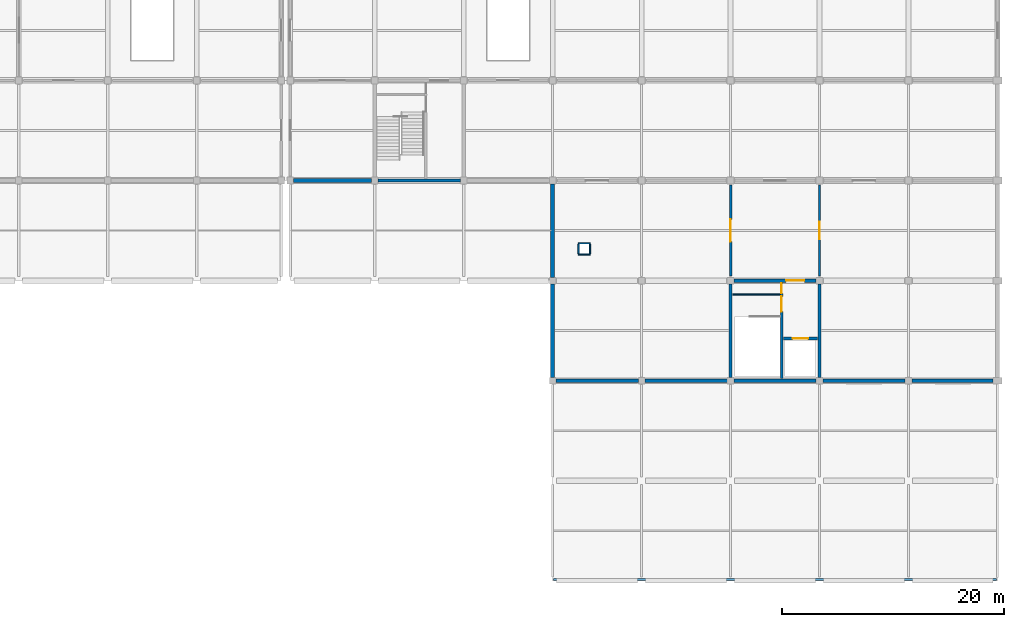
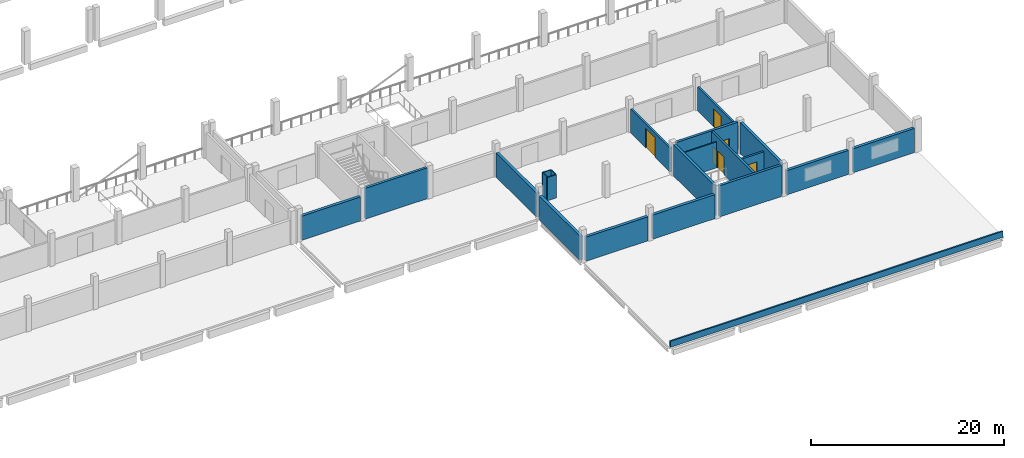
# One storey, part 47 of 57: 22 walls, 6 doors, 6 openings.
"""IFC4 building model written with IfcOpenShell, lengths in metres."""

import ifcopenshell
import ifcopenshell.guid

model = None  # the IFC model being written
_history = None  # IfcOwnerHistory: only IFC2X3 demands one
_inside = {}  # id of a spatial element -> (the spatial element, [elements in it])
_under = {}  # id of a project, library or spatial element -> (it, [spatial elements below it])
_declared = {}  # id of a project -> (the project, [libraries it declares])
_typed = {}  # id of a type object -> (the type object, [elements of that type])
_made_of = {}  # id of a material, layer set ... -> (it, [elements and type objects made of it])


def new_model(schema):
    """Start an empty IFC model of exactly this schema.

    Asked for "IFC4X3", IfcOpenShell would pick the latest addendum, in which some entities
    have other attributes; the version numbers below select the first issue.
    IFC2X3 requires an IfcOwnerHistory on every rooted entity: one is made here for all.
    """
    global model, _history
    if schema == "IFC4X3":
        model = ifcopenshell.file(schema_version=(4, 3, 0, 0))
    else:
        model = ifcopenshell.file(schema=schema)
    _inside.clear()
    _under.clear()
    _declared.clear()
    _typed.clear()
    _made_of.clear()
    _history = None
    if model.schema == "IFC2X3":
        org = make("IfcOrganization", Name="unknown")
        user = make(
            "IfcPersonAndOrganization",
            ThePerson=make("IfcPerson", FamilyName="unknown"),
            TheOrganization=org,
        )
        app = make(
            "IfcApplication",
            ApplicationDeveloper=org,
            Version="unknown",
            ApplicationFullName="unknown",
            ApplicationIdentifier="unknown",
        )
        _history = make(
            "IfcOwnerHistory",
            OwningUser=user,
            OwningApplication=app,
            ChangeAction="ADDED",
            CreationDate=0,
        )
    return model


def make(cls, **values):
    """One entity of the class cls with the attributes given. An attribute that is None is left unset."""
    return model.create_entity(
        cls, **{name: value for name, value in values.items() if value is not None}
    )


def rooted(cls, **values):
    """An entity with a GlobalId (a new one), such as an element, a storey or a relation."""
    return make(cls, GlobalId=ifcopenshell.guid.new(), OwnerHistory=_history, **values)


def si_unit(unit_type, name, prefix=None):
    """IfcSIUnit, for example si_unit("LENGTHUNIT", "METRE", prefix="MILLI")."""
    return make("IfcSIUnit", UnitType=unit_type, Prefix=prefix, Name=name)


def assignment(units):
    """IfcUnitAssignment: the units of a project."""
    return None if units is None else make("IfcUnitAssignment", Units=units)


def point(xyz):
    """IfcCartesianPoint."""
    return None if xyz is None else make("IfcCartesianPoint", Coordinates=xyz)


def direction(xyz):
    """IfcDirection."""
    return None if xyz is None else make("IfcDirection", DirectionRatios=xyz)


def frame(location, z_axis=None, x_axis=None):
    """IfcAxis2Placement3D, a coordinate frame: its origin and axes. An axis left out is left unset."""
    return make(
        "IfcAxis2Placement3D",
        Location=point(location),
        Axis=direction(z_axis),
        RefDirection=direction(x_axis),
    )


def frame_2d(location, x_axis=None):
    """IfcAxis2Placement2D, a coordinate frame in the plane: its origin and x axis."""
    return make(
        "IfcAxis2Placement2D", Location=point(location), RefDirection=direction(x_axis)
    )


def origin():
    """The frame at (0, 0, 0) with its axes left unset."""
    return frame((0.0, 0.0, 0.0))


def place(relative_to, where):
    """IfcLocalPlacement: puts the frame where relative to a parent placement (None: the world)."""
    return make(
        "IfcLocalPlacement", PlacementRelTo=relative_to, RelativePlacement=where
    )


def context(
    kind, dimensions, precision=None, world=None, true_north=None, identifier=None
):
    """IfcGeometricRepresentationContext, for example the 3D "Model" context."""
    return make(
        "IfcGeometricRepresentationContext",
        ContextIdentifier=identifier,
        ContextType=kind,
        CoordinateSpaceDimension=dimensions,
        Precision=precision,
        WorldCoordinateSystem=world,
        TrueNorth=true_north,
    )


def subcontext(parent, identifier, kind, view, scale=None):
    """IfcGeometricRepresentationSubContext, for example "Body" below "Model"."""
    return make(
        "IfcGeometricRepresentationSubContext",
        ContextIdentifier=identifier,
        ContextType=kind,
        ParentContext=parent,
        TargetScale=scale,
        TargetView=view,
    )


def project(units=None, contexts=None):
    """IfcProject with its units and contexts."""
    return rooted(
        "IfcProject",
        Name="project",
        RepresentationContexts=contexts,
        UnitsInContext=assignment(units),
    )


def spatial(cls, under=None, at=None, **own):
    """A site, building, storey or space (cls), placed at a placement, below another one or the project."""
    s = rooted(cls, ObjectPlacement=at, **own)
    if under is not None:
        _under.setdefault(under.id(), (under, []))[1].append(s)
    return s


def profile(cls, at=None, kind="AREA", **sizes):
    """A parametric profile (cls). Its sizes go by their IFC names, for example OverallWidth=200.0."""
    return make(cls, ProfileType=kind, Position=at, **sizes)


def rectangle(**sizes):
    """IfcRectangleProfileDef."""
    return profile("IfcRectangleProfileDef", **sizes)


def extrude(swept, where, along, depth):
    """IfcExtrudedAreaSolid: the profile swept, set in the frame where, extruded along a direction by depth."""
    return make(
        "IfcExtrudedAreaSolid",
        SweptArea=swept,
        Position=where,
        ExtrudedDirection=direction(along),
        Depth=depth,
    )


def shape(context_of_items, identifier, shape_type, items):
    """IfcShapeRepresentation: the items that make up one representation, for example the "Body"."""
    return make(
        "IfcShapeRepresentation",
        ContextOfItems=context_of_items,
        RepresentationIdentifier=identifier,
        RepresentationType=shape_type,
        Items=items,
    )


def material(Name=None, Category=None):
    """IfcMaterial."""
    return make("IfcMaterial", Name=Name, Category=Category)


def layer(
    of_material, thickness, ventilated=None, Name=None, Category=None, Priority=None
):
    """IfcMaterialLayer: one layer of a wall or slab, of a material (None: an air gap)."""
    return make(
        "IfcMaterialLayer",
        Material=of_material,
        LayerThickness=thickness,
        IsVentilated=ventilated,
        Name=Name,
        Category=Category,
        Priority=Priority,
    )


def layer_set(layers, Name=None):
    """IfcMaterialLayerSet."""
    return make("IfcMaterialLayerSet", MaterialLayers=layers, LayerSetName=Name)


def made_of(thing, what):
    """Note that an element or type object is made of a material, layer set ...; save() writes the relation."""
    if what is not None:
        _made_of.setdefault(what.id(), (what, []))[1].append(thing)
    return thing


def type_object(cls, material=None, **own):
    """A type object (cls), such as IfcWallType, which elements share."""
    return made_of(rooted(cls, **own), material)


def element(
    cls,
    number,
    at=None,
    inside=None,
    cuts=None,
    type_object=None,
    material=None,
    context=None,
    identifier="Body",
    shape_type=None,
    held_by="IfcProductDefinitionShape",
    body=None,
    shapes=None,
    **own,
):
    """One element of the class cls, such as IfcWall. Its Tag is "e" and its number.

    at: its placement. inside: the storey or other place that contains it. cuts: it is an
    opening in that element (IfcRelVoidsElement). A single representation is given by context,
    identifier, shape_type and body (its items); several are given by shapes. held_by: the class
    of the entity that holds the representations. save() writes the other relations.
    """
    e = rooted(cls, Tag="e%d" % number, ObjectPlacement=at, **own)
    if body is not None:
        shapes = [shape(context, identifier, shape_type, body)]
    if shapes is not None:
        e.Representation = make(held_by, Representations=shapes)
    if inside is not None:
        _inside.setdefault(inside.id(), (inside, []))[1].append(e)
    if cuts is not None:
        rooted(
            "IfcRelVoidsElement", RelatingBuildingElement=cuts, RelatedOpeningElement=e
        )
    if type_object is not None:
        _typed.setdefault(type_object.id(), (type_object, []))[1].append(e)
    return made_of(e, material)


def fill(opening, filler):
    """IfcRelFillsElement: the door or window that sits in an opening."""
    return rooted(
        "IfcRelFillsElement",
        RelatingOpeningElement=opening,
        RelatedBuildingElement=filler,
    )


def aggregate(whole, parts):
    """IfcRelAggregates: a whole, such as a stair, and the parts it consists of."""
    return rooted("IfcRelAggregates", RelatingObject=whole, RelatedObjects=parts)


def save(model, path):
    """Write the relations noted so far, then the file.

    IfcRelAggregates (storeys below a building ...), IfcRelContainedInSpatialStructure (elements
    in a storey), IfcRelDefinesByType, IfcRelAssociatesMaterial and IfcRelDeclares: one each for
    every whole, place, type object, material and project.
    """
    for whole, parts in _under.values():
        aggregate(whole, parts)
    for where, things in _inside.values():
        rooted(
            "IfcRelContainedInSpatialStructure",
            RelatedElements=things,
            RelatingStructure=where,
        )
    for kind, things in _typed.values():
        rooted("IfcRelDefinesByType", RelatedObjects=things, RelatingType=kind)
    for what, things in _made_of.values():
        rooted("IfcRelAssociatesMaterial", RelatedObjects=things, RelatingMaterial=what)
    for by, libraries in _declared.values():
        rooted("IfcRelDeclares", RelatingContext=by, RelatedDefinitions=libraries)
    model.write(path)


model = new_model("IFC4")

# Units and contexts
model_context = context("Model", 3, precision=1e-05, world=origin(), true_north=direction((0.0, 1.0)))
body_context = subcontext(model_context, "Body", "Model", "MODEL_VIEW")
ifc_project = project(units=[si_unit("LENGTHUNIT", "METRE"), si_unit("AREAUNIT", "SQUARE_METRE"), si_unit("VOLUMEUNIT", "CUBIC_METRE"), si_unit("PLANEANGLEUNIT", "RADIAN"), si_unit("MASSUNIT", "GRAM", prefix="KILO"), si_unit("THERMODYNAMICTEMPERATUREUNIT", "KELVIN"), si_unit("POWERUNIT", "WATT")], contexts=[model_context])

# Site, building, storey
site_placement = place(None, origin())
site = spatial("IfcSite", under=ifc_project, at=site_placement, CompositionType="ELEMENT")
building_placement = place(site_placement, origin())
building = spatial("IfcBuilding", under=site, at=building_placement, Name="Kronsvod Quay Wholesale Market", CompositionType="ELEMENT")
storey_placement = place(building_placement, frame((0.0, 0.0, 4.800048828125)))
storey = spatial("IfcBuildingStorey", under=building, at=storey_placement, Name="L01", CompositionType="ELEMENT", Elevation=4.800048828125)

# Wall, opening, door
ifc_material_1 = material(Name="Polyisocyanurate deep-freeze panel")
ifc_layer_1 = layer(ifc_material_1, 0.22998046875)
ifc_layer_set_1 = layer_set([ifc_layer_1], Name="Polyisocyanurate deep-freeze panel")
wall_type_1 = type_object("IfcWallType", Name="Wall_ColdFreezer230", PredefinedType="PARTITIONING", material=ifc_layer_set_1)
wall_1_placement = place(storey_placement, frame((168.0, 27.419921875, 0.0), z_axis=(0.0, 0.0, 1.0), x_axis=(0.0, 1.0, 0.0)))
wall_1 = element("IfcWall", 1, at=wall_1_placement, inside=storey, type_object=wall_type_1, Name="PW-L01-0056", PredefinedType="PARTITIONING", context=body_context, shape_type="SweptSolid", body=[
    extrude(rectangle(XDim=8.16015625, YDim=0.22998046875, at=frame_2d((4.080078125, 0.0))), origin(), (0.0, 0.0, 1.0), 3.050048828125),
])
opening_1_placement = place(wall_1_placement, frame((3.080078125, 0.0, 0.0)))
opening_1 = element("IfcOpeningElement", 2, at=opening_1_placement, cuts=wall_1, Name="Opening D-0241", PredefinedType="OPENING", context=body_context, shape_type="SweptSolid", body=[
    extrude(rectangle(XDim=2.0, YDim=2.5, at=frame_2d((1.0, 1.25))), frame((0.0, 0.125, 0.0), z_axis=(0.0, -1.0, 0.0), x_axis=(1.0, 0.0, 0.0)), (0.0, 0.0, 1.0), 0.25),
])
ifc_material_2 = material(Name="Heated-frame deep-freeze sliding door", Category="steel")
door_type_1 = type_object("IfcDoorType", Name="Door_FreezerSlide200x250", OperationType="SLIDING_TO_LEFT", PredefinedType="DOOR", material=ifc_material_2)
door_1_placement = place(opening_1_placement, origin())
door_1 = element("IfcDoor", 3, at=door_1_placement, inside=storey, type_object=door_type_1, Name="Interior Door D-0241", OperationType="SLIDING_TO_LEFT", OverallHeight=2.5, OverallWidth=2.0, PredefinedType="DOOR", context=body_context, shape_type="SweptSolid", body=[
    extrude(rectangle(XDim=2.0, YDim=2.5, at=frame_2d((1.0, 1.25))), frame((0.0, 0.02490234375, 0.0), z_axis=(0.0, -1.0, 0.0), x_axis=(1.0, 0.0, 0.0)), (0.0, 0.0, 1.0), 0.050048828125),
])
fill(opening_1, door_1)

# Walls
ifc_material_3 = material(Name="Concrete C35/45", Category="concrete")
ifc_layer_2 = layer(ifc_material_3, 0.300048828125)
ifc_layer_set_2 = layer_set([ifc_layer_2], Name="Concrete C35/45")
wall_type_2 = type_object("IfcWallType", Name="Wall_CoreShear300", PredefinedType="SHEAR", material=ifc_layer_set_2)
wall_2_placement = place(storey_placement, frame((136.294921875, 36.0, 0.0), z_axis=(0.0, 0.0, 1.0), x_axis=(1.0, 0.0, 0.0)))
element("IfcWall", 4, at=wall_2_placement, inside=storey, type_object=wall_type_2, Name="CW-C05-L01-S", PredefinedType="SHEAR", context=body_context, shape_type="SweptSolid", body=[
    extrude(rectangle(XDim=7.41015625, YDim=0.300048828125, at=frame_2d((3.705078125, 0.0))), origin(), (0.0, 0.0, 1.0), 3.905029296875),
])
wall_3_placement = place(storey_placement, frame((168.294921875, 18.0, 0.0), z_axis=(0.0, 0.0, 1.0), x_axis=(1.0, 0.0, 0.0)))
element("IfcWall", 5, at=wall_3_placement, inside=storey, type_object=wall_type_2, Name="CW-C06-L01-S", PredefinedType="SHEAR", context=body_context, shape_type="SweptSolid", body=[
    extrude(rectangle(XDim=7.41015625, YDim=0.300048828125, at=frame_2d((3.705078125, 0.0))), origin(), (0.0, 0.0, 1.0), 3.945068359375),
])

# Wall, opening, door
wall_4_placement = place(storey_placement, frame((168.294921875, 27.0, 0.0), z_axis=(0.0, 0.0, 1.0), x_axis=(1.0, 0.0, 0.0)))
wall_4 = element("IfcWall", 6, at=wall_4_placement, inside=storey, type_object=wall_type_2, Name="CW-C06-L01-N", PredefinedType="SHEAR", context=body_context, shape_type="SweptSolid", body=[
    extrude(rectangle(XDim=7.41015625, YDim=0.300048828125, at=frame_2d((3.705078125, 0.0))), origin(), (0.0, 0.0, 1.0), 3.945068359375),
])
opening_2_placement = place(wall_4_placement, frame((4.699951171875, 0.0, 0.0)))
opening_2 = element("IfcOpeningElement", 7, at=opening_2_placement, cuts=wall_4, Name="Opening D-0060", PredefinedType="OPENING", context=body_context, shape_type="SweptSolid", body=[
    extrude(rectangle(XDim=1.64990234375, YDim=2.219970703125, at=frame_2d((0.824951171875, 1.10986328125))), frame((0.0, 0.16015625, 0.0), z_axis=(0.0, -1.0, 0.0), x_axis=(1.0, 0.0, 0.0)), (0.0, 0.0, 1.0), 0.320068359375),
])
ifc_material_4 = material(Name="Painted galvanized fire steel", Category="steel")
door_type_2 = type_object("IfcDoorType", Name="Door_FireLobby165x222", OperationType="DOUBLE_DOOR_SINGLE_SWING", PredefinedType="DOOR", material=ifc_material_4)
door_2_placement = place(opening_2_placement, origin())
door_2 = element("IfcDoor", 8, at=door_2_placement, inside=storey, type_object=door_type_2, Name="Core Lobby Door D-0060", OperationType="DOUBLE_DOOR_SINGLE_SWING", OverallHeight=2.219970703125, OverallWidth=1.64990234375, PredefinedType="DOOR", context=body_context, shape_type="SweptSolid", body=[
    extrude(rectangle(XDim=1.64990234375, YDim=2.219970703125, at=frame_2d((0.824951171875, 1.10986328125))), frame((0.0, 0.02490234375, 0.0), z_axis=(0.0, -1.0, 0.0), x_axis=(1.0, 0.0, 0.0)), (0.0, 0.0, 1.0), 0.050048828125),
])
fill(opening_2, door_2)

# Walls
for number, where, z_axis, x_axis, name in (
    (9, (168.0, 18.294921875, 0.0), (0.0, 0.0, 1.0), (0.0, 1.0, 0.0), "CW-C06-L01-W"),
    (10, (176.0, 18.294921875, 0.0), (0.0, 0.0, 1.0), (0.0, 1.0, 0.0), "CW-C06-L01-E"),
):
    element("IfcWall", number, at=place(storey_placement, frame(where, z_axis=z_axis, x_axis=x_axis)), inside=storey, type_object=wall_type_2, Name=name, PredefinedType="SHEAR", context=body_context, shape_type="SweptSolid", body=[
        extrude(rectangle(XDim=8.41015625, YDim=0.300048828125, at=frame_2d((4.205078125, 0.0))), origin(), (0.0, 0.0, 1.0), 3.945068359375),
    ])
ifc_material_5 = material(Name="Precast concrete C40/50", Category="concrete")
ifc_layer_3 = layer(ifc_material_5, 0.340087890625)
ifc_layer_set_3 = layer_set([ifc_layer_3], Name="Precast concrete C40/50")
wall_type_3 = type_object("IfcWallType", Name="Wall_ExtColdSandwich340", PredefinedType="SOLIDWALL", material=ifc_layer_set_3)
for number, where, z_axis, x_axis, name in (
    (11, (152.294921875, 18.0, 0.0), (0.0, 0.0, 1.0), (1.0, 0.0, 0.0), "EW-X-L01-0139"),
    (12, (160.294921875, 18.0, 0.0), (0.0, 0.0, 1.0), (1.0, 0.0, 0.0), "EW-X-L01-0140"),
    (13, (176.294921875, 18.0, 0.0), (0.0, 0.0, 1.0), (1.0, 0.0, 0.0), "EW-X-L01-0141"),
):
    element("IfcWall", number, at=place(storey_placement, frame(where, z_axis=z_axis, x_axis=x_axis)), inside=storey, type_object=wall_type_3, Name=name, PredefinedType="SOLIDWALL", context=body_context, shape_type="SweptSolid", body=[
        extrude(rectangle(XDim=7.41015625, YDim=0.340087890625, at=frame_2d((3.705078125, 0.0))), origin(), (0.0, 0.0, 1.0), 3.050048828125),
    ])
wall_5_placement = place(storey_placement, frame((184.294921875, 18.0, 0.0), z_axis=(0.0, 0.0, 1.0), x_axis=(1.0, 0.0, 0.0)))
element("IfcWall", 14, at=wall_5_placement, inside=storey, type_object=wall_type_3, Name="EW-X-L01-0142", PredefinedType="SOLIDWALL", context=body_context, shape_type="SweptSolid", body=[
    extrude(rectangle(XDim=7.31005859375, YDim=0.340087890625, at=frame_2d((3.655029296875, 0.0))), origin(), (0.0, 0.0, 1.0), 3.050048828125),
])
wall_6_placement = place(storey_placement, frame((128.695068359375, 36.0, 0.0), z_axis=(0.0, 0.0, 1.0), x_axis=(1.0, 0.0, 0.0)))
element("IfcWall", 15, at=wall_6_placement, inside=storey, type_object=wall_type_3, Name="EW-X-L01-0143", PredefinedType="SOLIDWALL", context=body_context, shape_type="SweptSolid", body=[
    extrude(rectangle(XDim=7.010009765625, YDim=0.340087890625, at=frame_2d((3.5048828125, 0.0))), origin(), (0.0, 0.0, 1.0), 3.050048828125),
])
for number, where, z_axis, x_axis, name in (
    (16, (152.0, 26.705078125, 0.0), (0.0, 0.0, 1.0), (0.0, -1.0, 0.0), "EW-Y-L01-0151"),
    (17, (152.0, 35.705078125, 0.0), (0.0, 0.0, 1.0), (0.0, -1.0, 0.0), "EW-Y-L01-0152"),
):
    element("IfcWall", number, at=place(storey_placement, frame(where, z_axis=z_axis, x_axis=x_axis)), inside=storey, type_object=wall_type_3, Name=name, PredefinedType="SOLIDWALL", context=body_context, shape_type="SweptSolid", body=[
        extrude(rectangle(XDim=8.41015625, YDim=0.340087890625, at=frame_2d((4.205078125, 0.0))), origin(), (0.0, 0.0, 1.0), 3.050048828125),
    ])

# Wall, opening, door
ifc_material_6 = material(Name="Concrete C35/45", Category="concrete")
ifc_layer_4 = layer(ifc_material_6, 0.219970703125)
ifc_layer_set_4 = layer_set([ifc_layer_4], Name="Concrete C35/45")
wall_type_4 = type_object("IfcWallType", Name="Wall_FireComp220", PredefinedType="SOLIDWALL", material=ifc_layer_set_4)
wall_7_placement = place(storey_placement, frame((176.0, 27.419921875, 0.0), z_axis=(0.0, 0.0, 1.0), x_axis=(0.0, 1.0, 0.0)))
wall_7 = element("IfcWall", 18, at=wall_7_placement, inside=storey, type_object=wall_type_4, Name="PW-L01-0057", PredefinedType="SOLIDWALL", context=body_context, shape_type="SweptSolid", body=[
    extrude(rectangle(XDim=8.16015625, YDim=0.219970703125, at=frame_2d((4.080078125, 0.0))), origin(), (0.0, 0.0, 1.0), 3.050048828125),
])
opening_3_placement = place(wall_7_placement, frame((3.280029296875, 0.0, 0.0)))
opening_3 = element("IfcOpeningElement", 19, at=opening_3_placement, cuts=wall_7, Name="Opening D-0242", PredefinedType="OPENING", context=body_context, shape_type="SweptSolid", body=[
    extrude(rectangle(XDim=1.60009765625, YDim=2.280029296875, at=frame_2d((0.800048828125, 1.14013671875))), frame((0.0, 0.1201171875, 0.0), z_axis=(0.0, -1.0, 0.0), x_axis=(1.0, 0.0, 0.0)), (0.0, 0.0, 1.0), 0.239990234375),
])
ifc_material_7 = material(Name="Painted steel plant door", Category="steel")
door_type_3 = type_object("IfcDoorType", Name="Door_Plant160x228", OperationType="DOUBLE_DOOR_SINGLE_SWING", PredefinedType="DOOR", material=ifc_material_7)
door_3_placement = place(opening_3_placement, origin())
door_3 = element("IfcDoor", 20, at=door_3_placement, inside=storey, type_object=door_type_3, Name="Interior Door D-0242", OperationType="DOUBLE_DOOR_SINGLE_SWING", OverallHeight=2.280029296875, OverallWidth=1.60009765625, PredefinedType="DOOR", context=body_context, shape_type="SweptSolid", body=[
    extrude(rectangle(XDim=1.60009765625, YDim=2.280029296875, at=frame_2d((0.800048828125, 1.14013671875))), frame((0.0, 0.02490234375, 0.0), z_axis=(0.0, -1.0, 0.0), x_axis=(1.0, 0.0, 0.0)), (0.0, 0.0, 1.0), 0.050048828125),
])
fill(opening_3, door_3)

# Walls
ifc_material_8 = material(Name="Precast concrete C40/50", Category="concrete")
ifc_layer_5 = layer(ifc_material_8, 0.179931640625)
ifc_layer_set_5 = layer_set([ifc_layer_5], Name="Precast concrete C40/50")
wall_type_5 = type_object("IfcWallType", Name="Wall_Parapet180", PredefinedType="PARAPET", material=ifc_layer_set_5)
wall_8_placement = place(storey_placement, frame((152.10009765625, 0.10009765625, 0.0), z_axis=(0.0, 0.0, 1.0), x_axis=(1.0, 0.0, 0.0)))
element("IfcWall", 21, at=wall_8_placement, inside=storey, type_object=wall_type_5, Name="PRP-DK-SE", PredefinedType="PARAPET", context=body_context, shape_type="SweptSolid", body=[
    extrude(rectangle(XDim=39.7998046875, YDim=0.179931640625, at=frame_2d((19.89990234375, 0.0))), origin(), (0.0, 0.0, 1.0), 0.75),
])
ifc_material_9 = material(Name="Fire-rated shaft riser block wall", Category="masonry")
ifc_layer_6 = layer(ifc_material_9, 0.1201171875)
ifc_layer_set_6 = layer_set([ifc_layer_6], Name="Fire-rated shaft riser block wall")
wall_type_6 = type_object("IfcWallType", Name="Wall_PartRiser120", PredefinedType="PARTITIONING", material=ifc_layer_set_6)
for number, where, z_axis, x_axis, name in (
    (22, (154.320068359375, 29.340087890625, 0.0), (0.0, 0.0, 1.0), (1.0, 0.0, 0.0), "RSRW-SLB-L01-077-S"),
    (23, (154.320068359375, 30.360107421875, 0.0), (0.0, 0.0, 1.0), (1.0, 0.0, 0.0), "RSRW-SLB-L01-077-N"),
):
    element("IfcWall", number, at=place(storey_placement, frame(where, z_axis=z_axis, x_axis=x_axis)), inside=storey, type_object=wall_type_6, Name=name, PredefinedType="PARTITIONING", context=body_context, shape_type="SweptSolid", body=[
        extrude(rectangle(XDim=1.059814453125, YDim=0.1201171875, at=frame_2d((0.52978515625, 0.0))), origin(), (0.0, 0.0, 1.0), 2.949951171875),
    ])
for number, where, z_axis, x_axis, name in (
    (24, (154.340087890625, 29.419921875, 0.0), (0.0, 0.0, 1.0), (0.0, 1.0, 0.0), "RSRW-SLB-L01-077-W"),
    (25, (155.360107421875, 29.419921875, 0.0), (0.0, 0.0, 1.0), (0.0, 1.0, 0.0), "RSRW-SLB-L01-077-E"),
):
    element("IfcWall", number, at=place(storey_placement, frame(where, z_axis=z_axis, x_axis=x_axis)), inside=storey, type_object=wall_type_6, Name=name, PredefinedType="PARTITIONING", context=body_context, shape_type="SweptSolid", body=[
        extrude(rectangle(XDim=0.860107421875, YDim=0.1201171875, at=frame_2d((0.43017578125, 0.0))), origin(), (0.0, 0.0, 1.0), 2.949951171875),
    ])
ifc_material_10 = material(Name="Fire-rated shaft riser block wall", Category="masonry")
ifc_layer_7 = layer(ifc_material_10, 0.1298828125)
ifc_layer_set_7 = layer_set([ifc_layer_7], Name="Fire-rated shaft riser block wall")
wall_type_7 = type_object("IfcWallType", Name="Wall_PartRiser130", PredefinedType="PARTITIONING", material=ifc_layer_set_7)
wall_9_placement = place(storey_placement, frame((168.179931640625, 25.75, 0.0), z_axis=(0.0, 0.0, 1.0), x_axis=(1.0, 0.0, 0.0)))
element("IfcWall", 26, at=wall_9_placement, inside=storey, type_object=wall_type_7, Name="CW-C06-L01-RSR", PredefinedType="PARTITIONING", context=body_context, shape_type="SweptSolid", body=[
    extrude(rectangle(XDim=4.280029296875, YDim=0.1298828125, at=frame_2d((2.14013671875, 0.0))), origin(), (0.0, 0.0, 1.0), 3.294921875),
])

# Wall, openings, doors
ifc_material_11 = material(Name="Concrete C35/45", Category="concrete")
ifc_layer_8 = layer(ifc_material_11, 0.239990234375)
ifc_layer_set_8 = layer_set([ifc_layer_8], Name="Concrete C35/45")
wall_type_8 = type_object("IfcWallType", Name="Wall_ShaftWall240", PredefinedType="SHEAR", material=ifc_layer_set_8)
wall_10_placement = place(storey_placement, frame((172.60009765625, 18.179931640625, 0.0), z_axis=(0.0, 0.0, 1.0), x_axis=(0.0, 1.0, 0.0)))
wall_10 = element("IfcWall", 27, at=wall_10_placement, inside=storey, type_object=wall_type_8, Name="CW-C06-L01-DIV", PredefinedType="SHEAR", context=body_context, shape_type="SweptSolid", body=[
    extrude(rectangle(XDim=8.64013671875, YDim=0.239990234375, at=frame_2d((4.320068359375, 0.0))), origin(), (0.0, 0.0, 1.0), 3.945068359375),
])
opening_4_placement = place(wall_10_placement, frame((6.02001953125, 0.0, 0.0)))
opening_4 = element("IfcOpeningElement", 28, at=opening_4_placement, cuts=wall_10, Name="Opening D-0058", PredefinedType="OPENING", context=body_context, shape_type="SweptSolid", body=[
    extrude(rectangle(XDim=1.3798828125, YDim=2.219970703125, at=frame_2d((0.68994140625, 1.10986328125))), frame((0.0, 0.1298828125, 0.0), z_axis=(0.0, -1.0, 0.0), x_axis=(1.0, 0.0, 0.0)), (0.0, 0.0, 1.0), 0.260009765625),
])
opening_5_placement = place(wall_10_placement, frame((7.679931640625, 0.0, 0.0)))
opening_5 = element("IfcOpeningElement", 29, at=opening_5_placement, cuts=wall_10, Name="Opening D-0059", PredefinedType="OPENING", context=body_context, shape_type="SweptSolid", body=[
    extrude(rectangle(XDim=0.8798828125, YDim=2.02001953125, at=frame_2d((0.43994140625, 1.010009765625))), frame((0.0, 0.1298828125, 0.0), z_axis=(0.0, -1.0, 0.0), x_axis=(1.0, 0.0, 0.0)), (0.0, 0.0, 1.0), 0.260009765625),
])
ifc_material_12 = material(Name="Painted galvanized fire steel", Category="steel")
door_type_4 = type_object("IfcDoorType", Name="Door_FireStair138x222", OperationType="NOTDEFINED", PredefinedType="DOOR", material=ifc_material_12)
door_4_placement = place(opening_4_placement, origin())
door_4 = element("IfcDoor", 30, at=door_4_placement, inside=storey, type_object=door_type_4, Name="Stair Fire Door D-0058", OperationType="SINGLE_SWING_LEFT", OverallHeight=2.219970703125, OverallWidth=1.3798828125, PredefinedType="DOOR", context=body_context, shape_type="SweptSolid", body=[
    extrude(rectangle(XDim=1.3798828125, YDim=2.219970703125, at=frame_2d((0.68994140625, 1.10986328125))), frame((0.0, 0.02490234375, 0.0), z_axis=(0.0, -1.0, 0.0), x_axis=(1.0, 0.0, 0.0)), (0.0, 0.0, 1.0), 0.050048828125),
])
fill(opening_4, door_4)
ifc_material_13 = material(Name="Fire-rated steel riser access door", Category="steel")
door_type_5 = type_object("IfcDoorType", Name="Door_Riser88x202", OperationType="NOTDEFINED", PredefinedType="DOOR", material=ifc_material_13)
door_5_placement = place(opening_5_placement, origin())
door_5 = element("IfcDoor", 31, at=door_5_placement, inside=storey, type_object=door_type_5, Name="Service Riser Door D-0059", OperationType="SINGLE_SWING_RIGHT", OverallHeight=2.02001953125, OverallWidth=0.8798828125, PredefinedType="DOOR", context=body_context, shape_type="SweptSolid", body=[
    extrude(rectangle(XDim=0.8798828125, YDim=2.02001953125, at=frame_2d((0.43994140625, 1.010009765625))), frame((0.0, 0.02490234375, 0.0), z_axis=(0.0, -1.0, 0.0), x_axis=(1.0, 0.0, 0.0)), (0.0, 0.0, 1.0), 0.050048828125),
])
fill(opening_5, door_5)

# Wall, opening, door
wall_11_placement = place(storey_placement, frame((172.75, 21.800048828125, 0.0), z_axis=(0.0, 0.0, 1.0), x_axis=(1.0, 0.0, 0.0)))
wall_11 = element("IfcWall", 32, at=wall_11_placement, inside=storey, type_object=wall_type_8, Name="CW-C06-L01-LSH", PredefinedType="SHEAR", context=body_context, shape_type="SweptSolid", body=[
    extrude(rectangle(XDim=3.070068359375, YDim=0.239990234375, at=frame_2d((1.53515625, 0.0))), origin(), (0.0, 0.0, 1.0), 3.294921875),
])
opening_6_placement = place(wall_11_placement, frame((0.8349609375, 0.0, 0.0)))
opening_6 = element("IfcOpeningElement", 33, at=opening_6_placement, cuts=wall_11, Name="Opening D-0061", PredefinedType="OPENING", context=body_context, shape_type="SweptSolid", body=[
    extrude(rectangle(XDim=1.39990234375, YDim=2.300048828125, at=frame_2d((0.699951171875, 1.14990234375))), frame((0.0, 0.1298828125, 0.0), z_axis=(0.0, -1.0, 0.0), x_axis=(1.0, 0.0, 0.0)), (0.0, 0.0, 1.0), 0.260009765625),
])
ifc_material_14 = material(Name="Brushed stainless steel", Category="steel")
door_type_6 = type_object("IfcDoorType", Name="Door_LiftLandingGoods", OperationType="SLIDING_TO_LEFT", PredefinedType="DOOR", material=ifc_material_14)
door_6_placement = place(opening_6_placement, origin())
door_6 = element("IfcDoor", 34, at=door_6_placement, inside=storey, type_object=door_type_6, Name="Lift Landing Door LFT-G04 L01", OperationType="SLIDING_TO_LEFT", OverallHeight=2.300048828125, OverallWidth=1.39990234375, PredefinedType="DOOR", context=body_context, shape_type="SweptSolid", body=[
    extrude(rectangle(XDim=1.39990234375, YDim=2.300048828125, at=frame_2d((0.699951171875, 1.14990234375))), frame((0.0, 0.02490234375, 0.0), z_axis=(0.0, -1.0, 0.0), x_axis=(1.0, 0.0, 0.0)), (0.0, 0.0, 1.0), 0.050048828125),
])
fill(opening_6, door_6)

save(model, "model.ifc")
